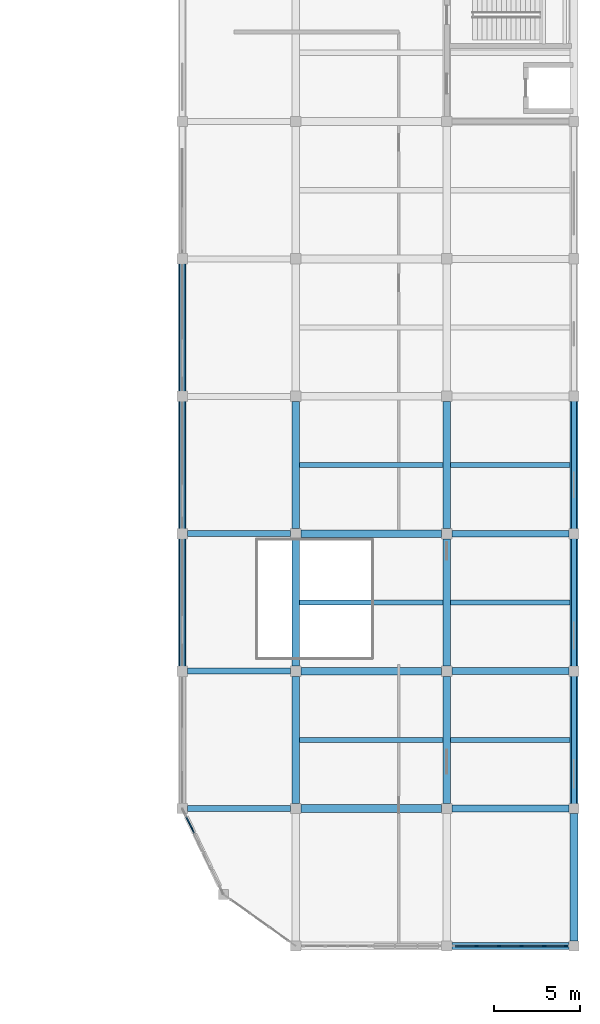
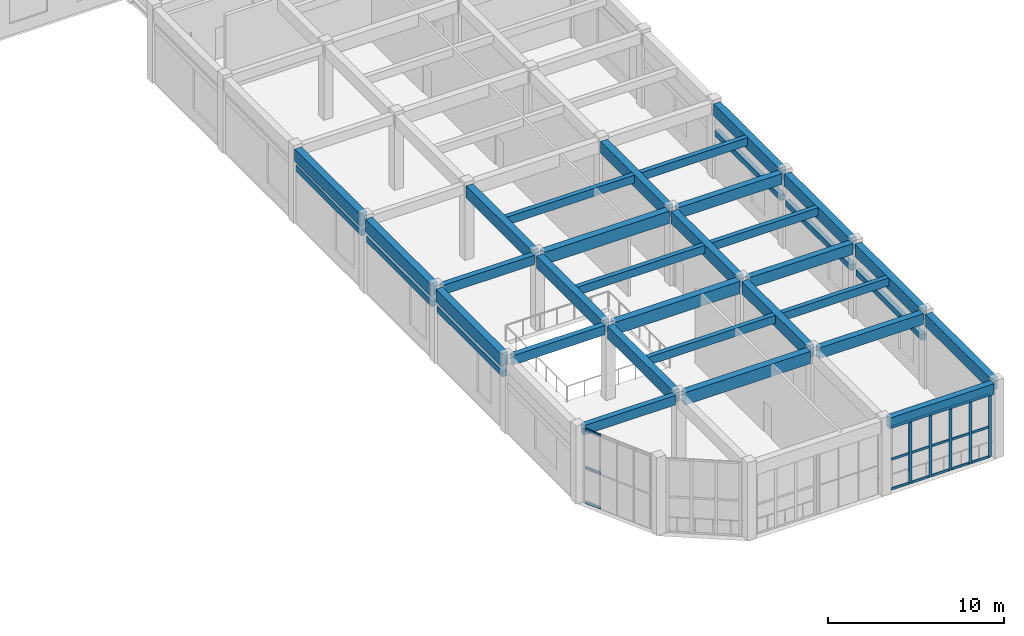
# One storey, part 22 of 64: 35 beams, 23 members, 2 elements without a shape of their own.
"""IFC4 building model written with IfcOpenShell, lengths in metres."""

from ifc_helpers import new_model, si_unit, direction, frame, origin, origin_2d, place, context, subcontext, project, spatial, rectangle, extrude, material, layer, layer_set, material_profile, profile_set, type_object, element, aggregate, save


model = new_model("IFC4")

# Units and contexts
model_context = context("Model", 3, precision=1e-05, world=origin(), true_north=direction((0.0, 1.0)))
body_context = subcontext(model_context, "Body", "Model", "MODEL_VIEW")
ifc_project = project(units=[si_unit("LENGTHUNIT", "METRE"), si_unit("AREAUNIT", "SQUARE_METRE"), si_unit("VOLUMEUNIT", "CUBIC_METRE"), si_unit("PLANEANGLEUNIT", "RADIAN"), si_unit("MASSUNIT", "GRAM", prefix="KILO")], contexts=[model_context])

# Site, building, storey
site_placement = place(None, origin())
site = spatial("IfcSite", under=ifc_project, at=site_placement, CompositionType="ELEMENT")
building_placement = place(site_placement, origin())
building = spatial("IfcBuilding", under=site, at=building_placement, Name="Cinchona Park Media Centre", CompositionType="ELEMENT")
storey_placement = place(building_placement, frame((0.0, 0.0, 10.199951171875)))
storey = spatial("IfcBuildingStorey", under=building, at=storey_placement, Name="L02", CompositionType="ELEMENT", Elevation=10.199951171875)

# Beams
ifc_material_1 = material(Name="Concrete C35/45", Category="concrete")
ifc_material_profile_1 = material_profile(ifc_material_1, rectangle(XDim=0.39990234375, YDim=0.75, at=origin_2d()), Name="RB 400X750")
ifc_profile_set_1 = profile_set([ifc_material_profile_1], Name="Concrete C35/45")
beam_type_1 = type_object("IfcBeamType", Name="BEAM-B01-RB400X750", PredefinedType="BEAM", material=ifc_profile_set_1)
for number, where, z_axis, x_axis, name in (
    (1, (164.89990234375, 7.60009765625, 4.775146484375), (1.0, 0.0, 0.0), (0.0, 1.0, 0.0), "Beam B01 L02"),
    (2, (164.89990234375, 15.60009765625, 4.775146484375), (1.0, 0.0, 0.0), (0.0, 1.0, 0.0), "Beam B01 L02"),
    (3, (164.89990234375, 23.60009765625, 4.775146484375), (1.0, 0.0, 0.0), (0.0, 1.0, 0.0), "Beam B01 L02"),
    (4, (164.89990234375, 31.60009765625, 4.775146484375), (1.0, 0.0, 0.0), (0.0, 1.0, 0.0), "Beam B01 L02"),
):
    element("IfcBeam", number, at=place(storey_placement, frame(where, z_axis=z_axis, x_axis=x_axis)), inside=storey, type_object=beam_type_1, Name=name, PredefinedType="BEAM", context=body_context, shape_type="SweptSolid", body=[
        extrude(rectangle(XDim=0.39990234375, YDim=0.75, at=origin_2d()), origin(), (0.0, 0.0, 1.0), 6.800048828125),
    ])
ifc_material_2 = material(Name="Concrete C35/45", Category="concrete")
ifc_material_profile_2 = material_profile(ifc_material_2, rectangle(XDim=0.449951171875, YDim=0.85009765625, at=origin_2d()), Name="RB 450X850")
ifc_profile_set_2 = profile_set([ifc_material_profile_2], Name="Concrete C35/45")
beam_type_2 = type_object("IfcBeamType", Name="BEAM-B02-RB450X850", PredefinedType="BEAM", material=ifc_profile_set_2)
for number, where, z_axis, x_axis, name in (
    (5, (156.10009765625, 15.60009765625, 4.72509765625), (1.0, 0.0, 0.0), (0.0, 1.0, 0.0), "Beam B02 L02"),
    (6, (156.10009765625, 23.60009765625, 4.72509765625), (1.0, 0.0, 0.0), (0.0, 1.0, 0.0), "Beam B02 L02"),
    (7, (156.10009765625, 31.60009765625, 4.72509765625), (1.0, 0.0, 0.0), (0.0, 1.0, 0.0), "Beam B02 L02"),
):
    element("IfcBeam", number, at=place(storey_placement, frame(where, z_axis=z_axis, x_axis=x_axis)), inside=storey, type_object=beam_type_2, Name=name, PredefinedType="BEAM", context=body_context, shape_type="SweptSolid", body=[
        extrude(rectangle(XDim=0.449951171875, YDim=0.85009765625, at=origin_2d()), origin(), (0.0, 0.0, 1.0), 8.199951171875),
    ])
for number, where, z_axis, x_axis, name in (
    (8, (149.199951171875, 23.89990234375, 4.72509765625), (0.0, 1.0, 0.0), (-1.0, 0.0, 0.0), "Girder B02 L02"),
    (9, (149.199951171875, 31.89990234375, 4.72509765625), (0.0, 1.0, 0.0), (-1.0, 0.0, 0.0), "Girder B02 L02"),
    (10, (149.199951171875, 39.89990234375, 4.72509765625), (0.0, 1.0, 0.0), (-1.0, 0.0, 0.0), "Girder B02 L02"),
    (11, (155.800048828125, 15.89990234375, 4.72509765625), (0.0, 1.0, 0.0), (-1.0, 0.0, 0.0), "Girder B02 L02"),
    (12, (155.800048828125, 23.89990234375, 4.72509765625), (0.0, 1.0, 0.0), (-1.0, 0.0, 0.0), "Girder B02 L02"),
    (13, (155.800048828125, 31.89990234375, 4.72509765625), (0.0, 1.0, 0.0), (-1.0, 0.0, 0.0), "Girder B02 L02"),
    (14, (164.60009765625, 15.89990234375, 4.72509765625), (0.0, 1.0, 0.0), (-1.0, 0.0, 0.0), "Girder B02 L02"),
    (15, (164.60009765625, 23.89990234375, 4.72509765625), (0.0, 1.0, 0.0), (-1.0, 0.0, 0.0), "Girder B02 L02"),
    (16, (164.60009765625, 31.89990234375, 4.72509765625), (0.0, 1.0, 0.0), (-1.0, 0.0, 0.0), "Girder B02 L02"),
    (17, (172.0, 7.89990234375, 4.72509765625), (0.0, 1.0, 0.0), (-1.0, 0.0, 0.0), "Girder B02 L02"),
    (18, (172.0, 15.89990234375, 4.72509765625), (0.0, 1.0, 0.0), (-1.0, 0.0, 0.0), "Girder B02 L02"),
    (19, (172.0, 23.89990234375, 4.72509765625), (0.0, 1.0, 0.0), (-1.0, 0.0, 0.0), "Girder B02 L02"),
    (20, (172.0, 31.89990234375, 4.72509765625), (0.0, 1.0, 0.0), (-1.0, 0.0, 0.0), "Girder B02 L02"),
):
    element("IfcBeam", number, at=place(storey_placement, frame(where, z_axis=z_axis, x_axis=x_axis)), inside=storey, type_object=beam_type_2, Name=name, PredefinedType="BEAM", context=body_context, shape_type="SweptSolid", body=[
        extrude(rectangle(XDim=0.449951171875, YDim=0.85009765625, at=origin_2d()), origin(), (0.0, 0.0, 1.0), 7.400146484375),
    ])
ifc_material_3 = material(Name="Concrete C35/45", Category="concrete")
ifc_material_profile_3 = material_profile(ifc_material_3, rectangle(XDim=0.35009765625, YDim=0.64990234375, at=origin_2d()), Name="RB 350X650")
ifc_profile_set_3 = profile_set([ifc_material_profile_3], Name="Concrete C35/45")
beam_type_3 = type_object("IfcBeamType", Name="BEAM-B04-RB350X650", PredefinedType="BEAM", material=ifc_profile_set_3)
for number, where, z_axis, x_axis, name in (
    (21, (149.5, 15.60009765625, 4.824951171875), (1.0, 0.0, 0.0), (0.0, 1.0, 0.0), "Beam B04 L02"),
    (22, (149.5, 23.60009765625, 4.824951171875), (1.0, 0.0, 0.0), (0.0, 1.0, 0.0), "Beam B04 L02"),
    (23, (149.5, 31.60009765625, 4.824951171875), (1.0, 0.0, 0.0), (0.0, 1.0, 0.0), "Beam B04 L02"),
):
    element("IfcBeam", number, at=place(storey_placement, frame(where, z_axis=z_axis, x_axis=x_axis)), inside=storey, type_object=beam_type_3, Name=name, PredefinedType="BEAM", context=body_context, shape_type="SweptSolid", body=[
        extrude(rectangle(XDim=0.35009765625, YDim=0.64990234375, at=origin_2d()), origin(), (0.0, 0.0, 1.0), 6.0),
    ])
ifc_material_4 = material(Name="Concrete C35/45", Category="concrete")
ifc_material_profile_4 = material_profile(ifc_material_4, rectangle(XDim=0.300048828125, YDim=0.550048828125, at=origin_2d()), Name="RB 300X550")
ifc_profile_set_4 = profile_set([ifc_material_profile_4], Name="Concrete C35/45")
beam_type_4 = type_object("IfcBeamType", Name="BEAM-J01-RB300X550", PredefinedType="JOIST", material=ifc_profile_set_4)
for number, where, z_axis, x_axis, name in (
    (24, (156.02490234375, 19.60009765625, 4.875), (1.0, 0.0, 0.0), (0.0, 1.0, 0.0), "Floor Joist J01 L02"),
    (25, (156.02490234375, 27.60009765625, 4.875), (1.0, 0.0, 0.0), (0.0, 1.0, 0.0), "Floor Joist J01 L02"),
    (26, (156.02490234375, 35.60009765625, 4.875), (1.0, 0.0, 0.0), (0.0, 1.0, 0.0), "Floor Joist J01 L02"),
):
    element("IfcBeam", number, at=place(storey_placement, frame(where, z_axis=z_axis, x_axis=x_axis)), inside=storey, type_object=beam_type_4, Name=name, PredefinedType="JOIST", context=body_context, shape_type="SweptSolid", body=[
        extrude(rectangle(XDim=0.300048828125, YDim=0.550048828125, at=origin_2d()), origin(), (0.0, 0.0, 1.0), 8.35009765625),
    ])
for number, where, z_axis, x_axis, name in (
    (27, (164.824951171875, 19.60009765625, 4.875), (1.0, 0.0, 0.0), (0.0, 1.0, 0.0), "Floor Joist J01 L02"),
    (28, (164.824951171875, 27.60009765625, 4.875), (1.0, 0.0, 0.0), (0.0, 1.0, 0.0), "Floor Joist J01 L02"),
    (29, (164.824951171875, 35.60009765625, 4.875), (1.0, 0.0, 0.0), (0.0, 1.0, 0.0), "Floor Joist J01 L02"),
):
    element("IfcBeam", number, at=place(storey_placement, frame(where, z_axis=z_axis, x_axis=x_axis)), inside=storey, type_object=beam_type_4, Name=name, PredefinedType="JOIST", context=body_context, shape_type="SweptSolid", body=[
        extrude(rectangle(XDim=0.300048828125, YDim=0.550048828125, at=origin_2d()), origin(), (0.0, 0.0, 1.0), 6.949951171875),
    ])
ifc_material_5 = material(Name="Concrete C35/45", Category="concrete")
ifc_material_profile_5 = material_profile(ifc_material_5, rectangle(XDim=0.300048828125, YDim=0.39990234375, at=origin_2d()), Name="RL 300X400")
ifc_profile_set_5 = profile_set([ifc_material_profile_5], Name="Concrete C35/45")
beam_type_5 = type_object("IfcBeamType", Name="BEAM-LN02-RL300X400", PredefinedType="LINTEL", material=ifc_profile_set_5)
for number, where, z_axis, x_axis, name in (
    (30, (149.199951171875, 23.8798828125, 3.75), (0.0, 1.0, 0.0), (-1.0, 0.0, 0.0), "Window Lintel LN02"),
    (31, (149.199951171875, 31.8798828125, 3.75), (0.0, 1.0, 0.0), (-1.0, 0.0, 0.0), "Window Lintel LN02"),
    (32, (149.199951171875, 39.8798828125, 3.800048828125), (0.0, 1.0, 0.0), (-1.0, 0.0, 0.0), "Window Lintel LN02"),
    (33, (172.0, 39.320068359375, 3.10009765625), (0.0, -1.0, 0.0), (1.0, 0.0, 0.0), "Window Lintel LN02"),
    (34, (172.0, 31.320068359375, 3.10009765625), (0.0, -1.0, 0.0), (1.0, 0.0, 0.0), "Window Lintel LN02"),
    (35, (172.0, 23.320068359375, 3.150146484375), (0.0, -1.0, 0.0), (1.0, 0.0, 0.0), "Window Lintel LN02"),
):
    element("IfcBeam", number, at=place(storey_placement, frame(where, z_axis=z_axis, x_axis=x_axis)), inside=storey, type_object=beam_type_5, Name=name, PredefinedType="LINTEL", context=body_context, shape_type="SweptSolid", body=[
        extrude(rectangle(XDim=0.300048828125, YDim=0.39990234375, at=origin_2d()), origin(), (0.0, 0.0, 1.0), 7.440185546875),
    ])

# Curtain wall, members
ifc_material_6 = material(Name="Aluminium Curtain Wall Framing", Category="aluminium")
ifc_layer_1 = layer(ifc_material_6, 0.2548828125)
ifc_layer_set_1 = layer_set([ifc_layer_1], Name="Aluminium Curtain Wall Framing")
curtain_wall_type_1 = type_object("IfcCurtainWallType", Name="CW-CW06", PredefinedType="USERDEFINED", material=ifc_layer_set_1)
curtain_wall_1_placement = place(storey_placement, origin())
curtain_wall_1 = element("IfcCurtainWall", 36, at=curtain_wall_1_placement, inside=storey, type_object=curtain_wall_type_1, Name="Curtain Wall CW06 L02", ObjectType="UNITISED CURTAIN WALL", PredefinedType="USERDEFINED")
ifc_material_7 = material(Name="Anodised Aluminium Alloy 6063-T6", Category="aluminium")
ifc_material_profile_6 = material_profile(ifc_material_7, rectangle(XDim=0.074951171875, YDim=0.2099609375, at=origin_2d()), Name="MUL-75X210")
ifc_profile_set_6 = profile_set([ifc_material_profile_6], Name="Anodised Aluminium Alloy 6063-T6")
member_type_1 = type_object("IfcMemberType", Name="MULLION-MUL03", PredefinedType="MULLION", material=ifc_profile_set_6)
member_1_placement = place(storey_placement, frame((171.54248046875, 7.60009765625, 0.050048828125), z_axis=(0.0, 0.0, 1.0), x_axis=(0.0, -1.0, 0.0)))
member_1 = element("IfcMember", 37, at=member_1_placement, type_object=member_type_1, Name="CW06 mullion 1", PredefinedType="MULLION", context=body_context, shape_type="SweptSolid", body=[
    extrude(rectangle(XDim=0.074951171875, YDim=0.2099609375, at=origin_2d()), origin(), (0.0, 0.0, 1.0), 4.35009765625),
])
member_2_placement = place(storey_placement, frame((170.26806640625, 7.60009765625, 0.050048828125), z_axis=(0.0, 0.0, 1.0), x_axis=(0.0, -1.0, 0.0)))
member_2 = element("IfcMember", 38, at=member_2_placement, type_object=member_type_1, Name="CW06 mullion 2", PredefinedType="MULLION", context=body_context, shape_type="SweptSolid", body=[
    extrude(rectangle(XDim=0.074951171875, YDim=0.2099609375, at=origin_2d()), origin(), (0.0, 0.0, 1.0), 4.35009765625),
])
member_3_placement = place(storey_placement, frame((168.9560546875, 7.60009765625, 0.050048828125), z_axis=(0.0, 0.0, 1.0), x_axis=(0.0, -1.0, 0.0)))
member_3 = element("IfcMember", 39, at=member_3_placement, type_object=member_type_1, Name="CW06 mullion 3", PredefinedType="MULLION", context=body_context, shape_type="SweptSolid", body=[
    extrude(rectangle(XDim=0.074951171875, YDim=0.2099609375, at=origin_2d()), origin(), (0.0, 0.0, 1.0), 4.35009765625),
])
member_4_placement = place(storey_placement, frame((167.64404296875, 7.60009765625, 0.050048828125), z_axis=(0.0, 0.0, 1.0), x_axis=(0.0, -1.0, 0.0)))
member_4 = element("IfcMember", 40, at=member_4_placement, type_object=member_type_1, Name="CW06 mullion 4", PredefinedType="MULLION", context=body_context, shape_type="SweptSolid", body=[
    extrude(rectangle(XDim=0.074951171875, YDim=0.2099609375, at=origin_2d()), origin(), (0.0, 0.0, 1.0), 4.35009765625),
])
member_5_placement = place(storey_placement, frame((166.33203125, 7.60009765625, 0.050048828125), z_axis=(0.0, 0.0, 1.0), x_axis=(0.0, -1.0, 0.0)))
member_5 = element("IfcMember", 41, at=member_5_placement, type_object=member_type_1, Name="CW06 mullion 5", PredefinedType="MULLION", context=body_context, shape_type="SweptSolid", body=[
    extrude(rectangle(XDim=0.074951171875, YDim=0.2099609375, at=origin_2d()), origin(), (0.0, 0.0, 1.0), 4.35009765625),
])

ifc_material_8 = material(Name="Aluminium Curtain Wall Framing", Category="aluminium")
ifc_layer_2 = layer(ifc_material_8, 0.2099609375)
ifc_layer_set_2 = layer_set([ifc_layer_2], Name="Aluminium Curtain Wall Framing")
curtain_wall_type_2 = type_object("IfcCurtainWallType", Name="CW-CW03", PredefinedType="USERDEFINED", material=ifc_layer_set_2)
curtain_wall_2_placement = place(storey_placement, origin())
curtain_wall_2 = element("IfcCurtainWall", 42, at=curtain_wall_2_placement, inside=storey, type_object=curtain_wall_type_2, Name="Curtain Wall CW03 L02", ObjectType="UNITISED CURTAIN WALL", PredefinedType="USERDEFINED")
ifc_material_9 = material(Name="Anodised Aluminium Alloy 6063-T6", Category="aluminium")
ifc_material_profile_7 = material_profile(ifc_material_9, rectangle(XDim=0.074951171875, YDim=0.159912109375, at=origin_2d()), Name="TRN-75X160")
ifc_profile_set_7 = profile_set([ifc_material_profile_7], Name="Anodised Aluminium Alloy 6063-T6")
member_type_2 = type_object("IfcMemberType", Name="TRANSOM-TRN03", PredefinedType="USERDEFINED", material=ifc_profile_set_7)
member_6_placement = place(storey_placement, frame((149.88330078125, 14.17626953125, 0.087646484375), z_axis=(-0.432845097244, 0.901468314358, 0.0), x_axis=(-0.901468314358, -0.432845097244, 0.0)))
member_6 = element("IfcMember", 43, at=member_6_placement, type_object=member_type_2, Name="CW03 transom 4.1", ObjectType="TRANSOM", PredefinedType="USERDEFINED", context=body_context, shape_type="SweptSolid", body=[
    extrude(rectangle(XDim=0.074951171875, YDim=0.159912109375, at=origin_2d()), origin(), (0.0, 0.0, 1.0), 1.0439453125),
])
member_7_placement = place(storey_placement, frame((149.88330078125, 14.17626953125, 2.498046875), z_axis=(-0.432845097244, 0.901468314358, 0.0), x_axis=(-0.901468314358, -0.432845097244, 0.0)))
member_7 = element("IfcMember", 44, at=member_7_placement, type_object=member_type_2, Name="CW03 transom 4.2", ObjectType="TRANSOM", PredefinedType="USERDEFINED", context=body_context, shape_type="SweptSolid", body=[
    extrude(rectangle(XDim=0.074951171875, YDim=0.159912109375, at=origin_2d()), origin(), (0.0, 0.0, 1.0), 1.0439453125),
])
member_8_placement = place(storey_placement, frame((149.88330078125, 14.17626953125, 5.112548828125), z_axis=(-0.432845097244, 0.901468314358, 0.0), x_axis=(-0.901468314358, -0.432845097244, 0.0)))
member_8 = element("IfcMember", 45, at=member_8_placement, type_object=member_type_2, Name="CW03 transom 4.3", ObjectType="TRANSOM", PredefinedType="USERDEFINED", context=body_context, shape_type="SweptSolid", body=[
    extrude(rectangle(XDim=0.074951171875, YDim=0.159912109375, at=origin_2d()), origin(), (0.0, 0.0, 1.0), 1.0439453125),
])
aggregate(curtain_wall_2, [member_6, member_7, member_8])

# Member
member_9_placement = place(storey_placement, frame((171.5048828125, 7.60009765625, 0.087646484375), z_axis=(-1.0, 0.0, 0.0), x_axis=(0.0, -1.0, 0.0)))
member_9 = element("IfcMember", 46, at=member_9_placement, type_object=member_type_2, Name="CW06 transom 1.1", ObjectType="TRANSOM", PredefinedType="USERDEFINED", context=body_context, shape_type="SweptSolid", body=[
    extrude(rectangle(XDim=0.074951171875, YDim=0.159912109375, at=origin_2d()), origin(), (0.0, 0.0, 1.0), 1.199462890625),
])

member_10_placement = place(storey_placement, frame((171.5048828125, 7.60009765625, 2.137939453125), z_axis=(-1.0, 0.0, 0.0), x_axis=(0.0, -1.0, 0.0)))
member_10 = element("IfcMember", 47, at=member_10_placement, type_object=member_type_2, Name="CW06 transom 1.2", ObjectType="TRANSOM", PredefinedType="USERDEFINED", context=body_context, shape_type="SweptSolid", body=[
    extrude(rectangle(XDim=0.074951171875, YDim=0.159912109375, at=origin_2d()), origin(), (0.0, 0.0, 1.0), 1.199462890625),
])

member_11_placement = place(storey_placement, frame((171.5048828125, 7.60009765625, 4.362548828125), z_axis=(-1.0, 0.0, 0.0), x_axis=(0.0, -1.0, 0.0)))
member_11 = element("IfcMember", 48, at=member_11_placement, type_object=member_type_2, Name="CW06 transom 1.3", ObjectType="TRANSOM", PredefinedType="USERDEFINED", context=body_context, shape_type="SweptSolid", body=[
    extrude(rectangle(XDim=0.074951171875, YDim=0.159912109375, at=origin_2d()), origin(), (0.0, 0.0, 1.0), 1.199462890625),
])

member_12_placement = place(storey_placement, frame((170.23046875, 7.60009765625, 0.087646484375), z_axis=(-1.0, 0.0, 0.0), x_axis=(0.0, -1.0, 0.0)))
member_12 = element("IfcMember", 49, at=member_12_placement, type_object=member_type_2, Name="CW06 transom 2.1", ObjectType="TRANSOM", PredefinedType="USERDEFINED", context=body_context, shape_type="SweptSolid", body=[
    extrude(rectangle(XDim=0.074951171875, YDim=0.159912109375, at=origin_2d()), origin(), (0.0, 0.0, 1.0), 1.237060546875),
])

member_13_placement = place(storey_placement, frame((170.23046875, 7.60009765625, 2.137939453125), z_axis=(-1.0, 0.0, 0.0), x_axis=(0.0, -1.0, 0.0)))
member_13 = element("IfcMember", 50, at=member_13_placement, type_object=member_type_2, Name="CW06 transom 2.2", ObjectType="TRANSOM", PredefinedType="USERDEFINED", context=body_context, shape_type="SweptSolid", body=[
    extrude(rectangle(XDim=0.074951171875, YDim=0.159912109375, at=origin_2d()), origin(), (0.0, 0.0, 1.0), 1.237060546875),
])

member_14_placement = place(storey_placement, frame((170.23046875, 7.60009765625, 4.362548828125), z_axis=(-1.0, 0.0, 0.0), x_axis=(0.0, -1.0, 0.0)))
member_14 = element("IfcMember", 51, at=member_14_placement, type_object=member_type_2, Name="CW06 transom 2.3", ObjectType="TRANSOM", PredefinedType="USERDEFINED", context=body_context, shape_type="SweptSolid", body=[
    extrude(rectangle(XDim=0.074951171875, YDim=0.159912109375, at=origin_2d()), origin(), (0.0, 0.0, 1.0), 1.237060546875),
])

member_15_placement = place(storey_placement, frame((168.91845703125, 7.60009765625, 0.087646484375), z_axis=(-1.0, 0.0, 0.0), x_axis=(0.0, -1.0, 0.0)))
member_15 = element("IfcMember", 52, at=member_15_placement, type_object=member_type_2, Name="CW06 transom 3.1", ObjectType="TRANSOM", PredefinedType="USERDEFINED", context=body_context, shape_type="SweptSolid", body=[
    extrude(rectangle(XDim=0.074951171875, YDim=0.159912109375, at=origin_2d()), origin(), (0.0, 0.0, 1.0), 1.237060546875),
])

member_16_placement = place(storey_placement, frame((168.91845703125, 7.60009765625, 2.137939453125), z_axis=(-1.0, 0.0, 0.0), x_axis=(0.0, -1.0, 0.0)))
member_16 = element("IfcMember", 53, at=member_16_placement, type_object=member_type_2, Name="CW06 transom 3.2", ObjectType="TRANSOM", PredefinedType="USERDEFINED", context=body_context, shape_type="SweptSolid", body=[
    extrude(rectangle(XDim=0.074951171875, YDim=0.159912109375, at=origin_2d()), origin(), (0.0, 0.0, 1.0), 1.237060546875),
])

member_17_placement = place(storey_placement, frame((168.91845703125, 7.60009765625, 4.362548828125), z_axis=(-1.0, 0.0, 0.0), x_axis=(0.0, -1.0, 0.0)))
member_17 = element("IfcMember", 54, at=member_17_placement, type_object=member_type_2, Name="CW06 transom 3.3", ObjectType="TRANSOM", PredefinedType="USERDEFINED", context=body_context, shape_type="SweptSolid", body=[
    extrude(rectangle(XDim=0.074951171875, YDim=0.159912109375, at=origin_2d()), origin(), (0.0, 0.0, 1.0), 1.237060546875),
])

member_18_placement = place(storey_placement, frame((167.6064453125, 7.60009765625, 0.087646484375), z_axis=(-1.0, 0.0, 0.0), x_axis=(0.0, -1.0, 0.0)))
member_18 = element("IfcMember", 55, at=member_18_placement, type_object=member_type_2, Name="CW06 transom 4.1", ObjectType="TRANSOM", PredefinedType="USERDEFINED", context=body_context, shape_type="SweptSolid", body=[
    extrude(rectangle(XDim=0.074951171875, YDim=0.159912109375, at=origin_2d()), origin(), (0.0, 0.0, 1.0), 1.237060546875),
])

member_19_placement = place(storey_placement, frame((167.6064453125, 7.60009765625, 2.137939453125), z_axis=(-1.0, 0.0, 0.0), x_axis=(0.0, -1.0, 0.0)))
member_19 = element("IfcMember", 56, at=member_19_placement, type_object=member_type_2, Name="CW06 transom 4.2", ObjectType="TRANSOM", PredefinedType="USERDEFINED", context=body_context, shape_type="SweptSolid", body=[
    extrude(rectangle(XDim=0.074951171875, YDim=0.159912109375, at=origin_2d()), origin(), (0.0, 0.0, 1.0), 1.237060546875),
])

member_20_placement = place(storey_placement, frame((167.6064453125, 7.60009765625, 4.362548828125), z_axis=(-1.0, 0.0, 0.0), x_axis=(0.0, -1.0, 0.0)))
member_20 = element("IfcMember", 57, at=member_20_placement, type_object=member_type_2, Name="CW06 transom 4.3", ObjectType="TRANSOM", PredefinedType="USERDEFINED", context=body_context, shape_type="SweptSolid", body=[
    extrude(rectangle(XDim=0.074951171875, YDim=0.159912109375, at=origin_2d()), origin(), (0.0, 0.0, 1.0), 1.237060546875),
])

member_21_placement = place(storey_placement, frame((166.29443359375, 7.60009765625, 0.087646484375), z_axis=(-1.0, 0.0, 0.0), x_axis=(0.0, -1.0, 0.0)))
member_21 = element("IfcMember", 58, at=member_21_placement, type_object=member_type_2, Name="CW06 transom 5.1", ObjectType="TRANSOM", PredefinedType="USERDEFINED", context=body_context, shape_type="SweptSolid", body=[
    extrude(rectangle(XDim=0.074951171875, YDim=0.159912109375, at=origin_2d()), origin(), (0.0, 0.0, 1.0), 1.199462890625),
])

member_22_placement = place(storey_placement, frame((166.29443359375, 7.60009765625, 2.137939453125), z_axis=(-1.0, 0.0, 0.0), x_axis=(0.0, -1.0, 0.0)))
member_22 = element("IfcMember", 59, at=member_22_placement, type_object=member_type_2, Name="CW06 transom 5.2", ObjectType="TRANSOM", PredefinedType="USERDEFINED", context=body_context, shape_type="SweptSolid", body=[
    extrude(rectangle(XDim=0.074951171875, YDim=0.159912109375, at=origin_2d()), origin(), (0.0, 0.0, 1.0), 1.199462890625),
])

member_23_placement = place(storey_placement, frame((166.29443359375, 7.60009765625, 4.362548828125), z_axis=(-1.0, 0.0, 0.0), x_axis=(0.0, -1.0, 0.0)))
member_23 = element("IfcMember", 60, at=member_23_placement, type_object=member_type_2, Name="CW06 transom 5.3", ObjectType="TRANSOM", PredefinedType="USERDEFINED", context=body_context, shape_type="SweptSolid", body=[
    extrude(rectangle(XDim=0.074951171875, YDim=0.159912109375, at=origin_2d()), origin(), (0.0, 0.0, 1.0), 1.199462890625),
])

aggregate(curtain_wall_1, [member_1, member_2, member_3, member_4, member_5, member_9, member_10, member_11, member_12, member_13, member_14, member_15, member_16, member_17, member_18, member_19, member_20, member_21, member_22, member_23])

save(model, "model.ifc")
